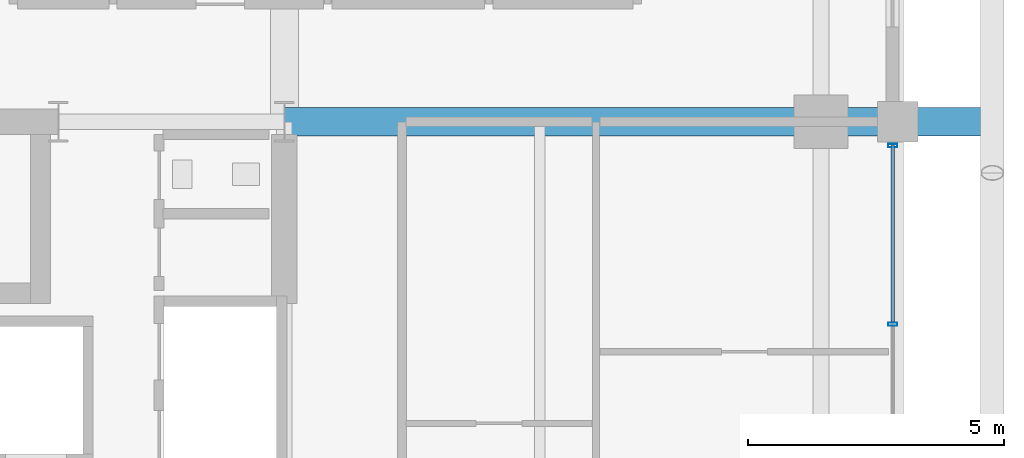
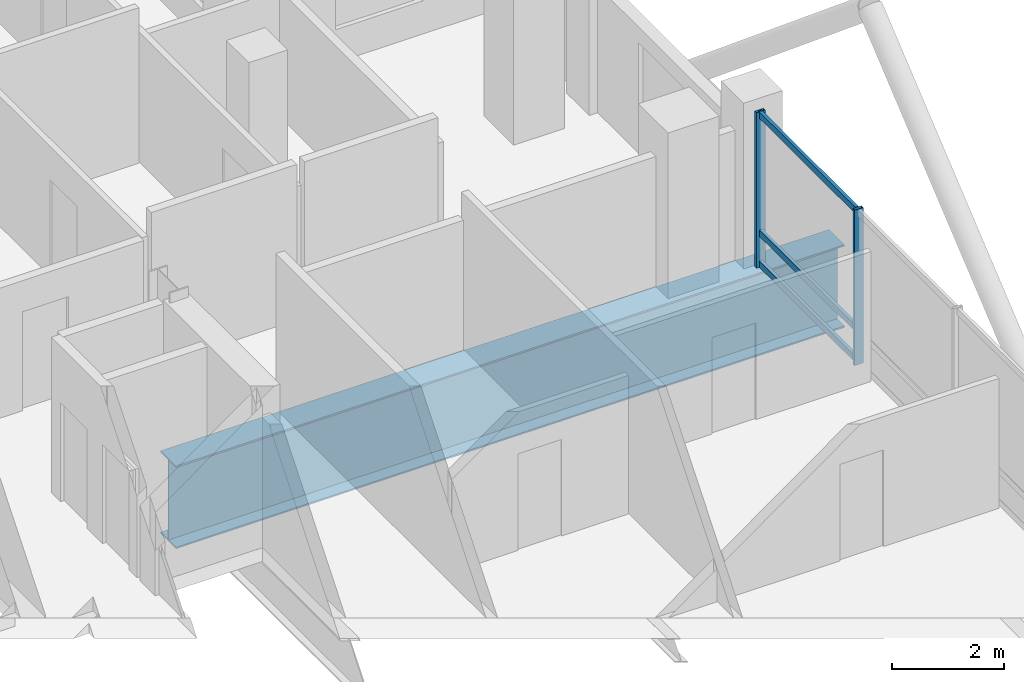
# One storey, part 8 of 23: 5 members, 1 beam, 1 element without a shape of its own.
"""IFC4 building model written with IfcOpenShell, lengths in metres."""

from ifc_helpers import new_model, si_unit, direction, frame, origin, origin_2d, place, context, subcontext, project, spatial, hollow_rectangle, i_section, extrude, material, layer, layer_set, material_profile, profile_set, type_object, element, aggregate, save


model = new_model("IFC4")

# Units and contexts
model_context = context("Model", 3, precision=1e-05, world=origin(), true_north=direction((0.0, 1.0)))
body_context = subcontext(model_context, "Body", "Model", "MODEL_VIEW")
ifc_project = project(units=[si_unit("LENGTHUNIT", "METRE"), si_unit("AREAUNIT", "SQUARE_METRE"), si_unit("VOLUMEUNIT", "CUBIC_METRE"), si_unit("PLANEANGLEUNIT", "RADIAN"), si_unit("MASSUNIT", "GRAM", prefix="KILO")], contexts=[model_context])

# Site, building, storey
site_placement = place(None, origin())
site = spatial("IfcSite", under=ifc_project, at=site_placement, CompositionType="ELEMENT")
building_placement = place(site_placement, origin())
building = spatial("IfcBuilding", under=site, at=building_placement, Name="Barlavira Tower and Art Museum", CompositionType="ELEMENT")
storey_placement = place(building_placement, frame((0.0, 0.0, 165.60009765625)))
storey = spatial("IfcBuildingStorey", under=building, at=storey_placement, Name="L42", CompositionType="ELEMENT", Elevation=165.60009765625)

# Curtain wall, members
ifc_material_1 = material(Name="Low-iron coastal laminated glass", Category="glass")
ifc_layer = layer(ifc_material_1, 0.199951171875, Name="Low-iron coastal laminated glass")
ifc_layer_set = layer_set([ifc_layer], Name="Low-iron coastal laminated glass")
curtain_wall_type = type_object("IfcCurtainWallType", Name="Pale-Metal Unitised Curtain Wall Zone 3", PredefinedType="NOTDEFINED", material=ifc_layer_set)
curtain_wall_placement = place(storey_placement, origin())
curtain_wall = element("IfcCurtainWall", 1, at=curtain_wall_placement, inside=storey, type_object=curtain_wall_type, Name="L42 Curtain Wall CW3-L42-E-B3", PredefinedType="NOTDEFINED")
ifc_material_2 = material(Name="Pale anodised aluminium", Category="aluminium")
ifc_material_profile_1 = material_profile(ifc_material_2, hollow_rectangle(XDim=0.06494140625, YDim=0.179931640625, WallThickness=0.00390625, at=origin_2d()), Name="ALU-MULL 65x180x4")
ifc_profile_set_1 = profile_set([ifc_material_profile_1], Name="Pale anodised aluminium")
member_type_1 = type_object("IfcMemberType", Name="Curtain Wall Pale-Metal Mullion 65x180", PredefinedType="MULLION", material=ifc_profile_set_1)
member_1_placement = place(storey_placement, frame((18.39990234375, 3.5400390625, 0.0), z_axis=(0.0, 0.0, 1.0), x_axis=(0.0, 1.0, 0.0)))
member_1 = element("IfcMember", 2, at=member_1_placement, type_object=member_type_1, Name="CW3-L42-E-B3 Mullion 3", PredefinedType="MULLION", context=body_context, shape_type="SweptSolid", body=[
    extrude(hollow_rectangle(XDim=0.06494140625, YDim=0.179931640625, WallThickness=0.00390625, at=origin_2d()), origin(), (0.0, 0.0, 1.0), 3.3798828125),
])
member_2_placement = place(storey_placement, frame((18.39990234375, 7.034912109375, 0.0), z_axis=(0.0, 0.0, 1.0), x_axis=(0.0, 1.0, 0.0)))
member_2 = element("IfcMember", 3, at=member_2_placement, type_object=member_type_1, Name="CW3-L42-E-B3 Mullion 4", PredefinedType="MULLION", context=body_context, shape_type="SweptSolid", body=[
    extrude(hollow_rectangle(XDim=0.06494140625, YDim=0.179931640625, WallThickness=0.00390625, at=origin_2d()), origin(), (0.0, 0.0, 1.0), 3.3798828125),
])
ifc_material_profile_2 = material_profile(ifc_material_2, hollow_rectangle(XDim=0.06494140625, YDim=0.139892578125, WallThickness=0.00390625, at=origin_2d()), Name="ALU-TRAN 65x140x4")
ifc_profile_set_2 = profile_set([ifc_material_profile_2], Name="Pale anodised aluminium")
member_type_2 = type_object("IfcMemberType", Name="Curtain Wall Pale-Metal Transom 65x140", PredefinedType="USERDEFINED", material=ifc_profile_set_2)
member_3_placement = place(storey_placement, frame((18.39990234375, 3.5849609375, 0.06982421875), z_axis=(0.0, 1.0, 0.0), x_axis=(-1.0, 0.0, 0.0)))
member_3 = element("IfcMember", 4, at=member_3_placement, type_object=member_type_2, Name="CW3-L42-E-B3 Transom 3.1", ObjectType="TRANSOM", PredefinedType="USERDEFINED", context=body_context, shape_type="SweptSolid", body=[
    extrude(hollow_rectangle(XDim=0.06494140625, YDim=0.139892578125, WallThickness=0.00390625, at=origin_2d()), origin(), (0.0, 0.0, 1.0), 3.449951171875),
])
member_4_placement = place(storey_placement, frame((18.39990234375, 3.5849609375, 0.743896484375), z_axis=(0.0, 1.0, 0.0), x_axis=(-1.0, 0.0, 0.0)))
member_4 = element("IfcMember", 5, at=member_4_placement, type_object=member_type_2, Name="CW3-L42-E-B3 Transom 3.2", ObjectType="TRANSOM", PredefinedType="USERDEFINED", context=body_context, shape_type="SweptSolid", body=[
    extrude(hollow_rectangle(XDim=0.06494140625, YDim=0.139892578125, WallThickness=0.00390625, at=origin_2d()), origin(), (0.0, 0.0, 1.0), 3.449951171875),
])
member_5_placement = place(storey_placement, frame((18.39990234375, 3.5849609375, 3.309814453125), z_axis=(0.0, 1.0, 0.0), x_axis=(-1.0, 0.0, 0.0)))
member_5 = element("IfcMember", 6, at=member_5_placement, type_object=member_type_2, Name="CW3-L42-E-B3 Transom 3.3", ObjectType="TRANSOM", PredefinedType="USERDEFINED", context=body_context, shape_type="SweptSolid", body=[
    extrude(hollow_rectangle(XDim=0.06494140625, YDim=0.139892578125, WallThickness=0.00390625, at=origin_2d()), origin(), (0.0, 0.0, 1.0), 3.449951171875),
])
aggregate(curtain_wall, [member_1, member_2, member_3, member_4, member_5])

# Beam
ifc_material_3 = material(Name="Steel S355", Category="steel")
ifc_material_profile_3 = material_profile(ifc_material_3, i_section(OverallWidth=0.550048828125, OverallDepth=1.800048828125, WebThickness=0.02587890625, FlangeThickness=0.033935546875, at=origin_2d()), Name="CVS1800x520")
ifc_profile_set_3 = profile_set([ifc_material_profile_3], Name="Steel S355")
beam_type = type_object("IfcBeamType", Name="Zone Setback Transfer Girder CVS1800x520 Steel S355", PredefinedType="USERDEFINED", material=ifc_profile_set_3)
beam_placement = place(storey_placement, frame((6.5, 7.5, -1.2001953125), z_axis=(1.0, 0.0, 0.0), x_axis=(0.0, 1.0, 0.0)))
element("IfcBeam", 7, at=beam_placement, inside=storey, type_object=beam_type, Name="L42 Setback Transfer Girder TGL42-11B", ObjectType="TRANSFER GIRDER", PredefinedType="USERDEFINED", context=body_context, shape_type="SweptSolid", body=[
    extrude(i_section(OverallWidth=0.550048828125, OverallDepth=1.800048828125, WebThickness=0.02587890625, FlangeThickness=0.033935546875, at=origin_2d()), origin(), (0.0, 0.0, 1.0), 13.75),
])

save(model, "model.ifc")
